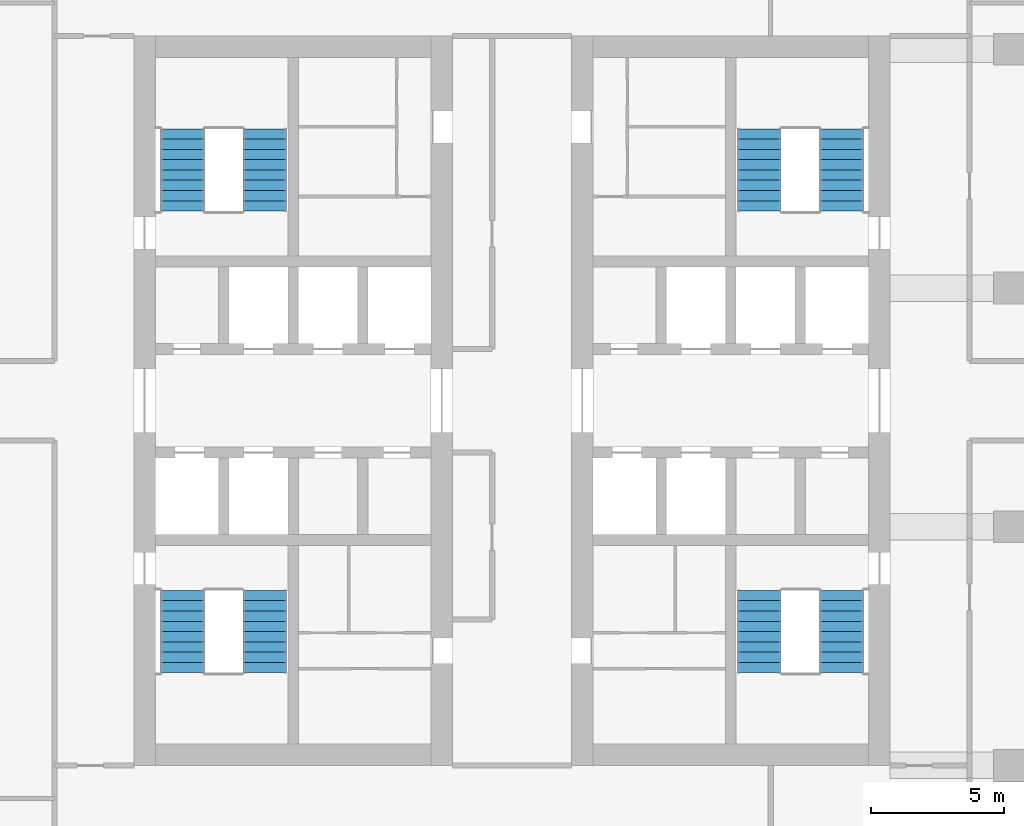
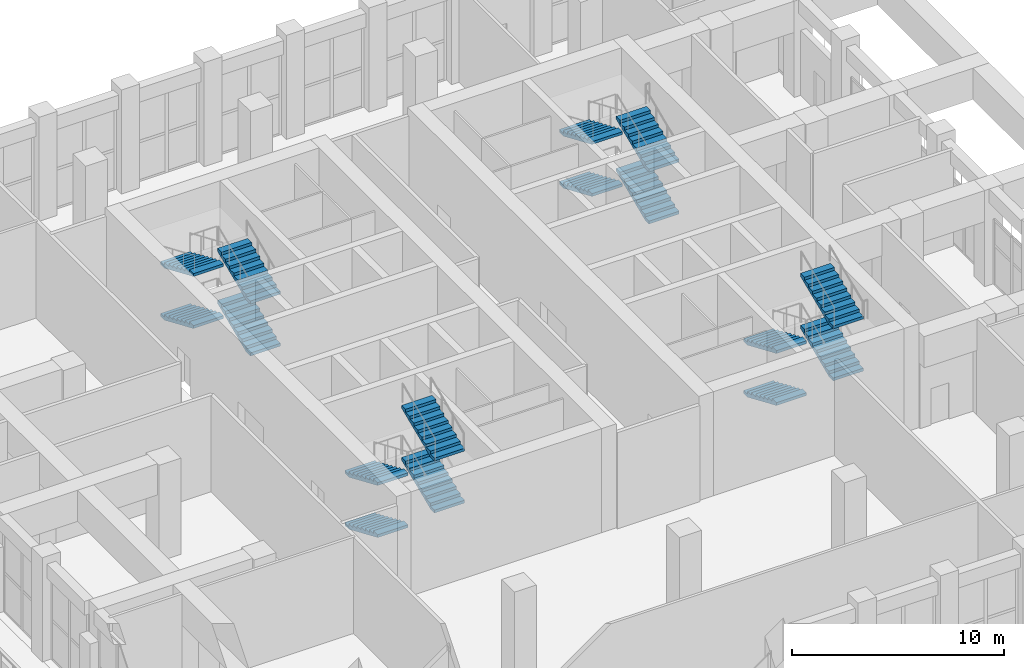
# One storey, part 17 of 25: 16 stair flights, 4 elements without a shape of their own.
"""IFC4 building model written with IfcOpenShell, lengths in metres."""

from ifc_helpers import new_model, si_unit, direction, frame, origin, place, context, subcontext, project, spatial, polyline, outline, extrude, material, type_object, element, aggregate, save


model = new_model("IFC4")

# Units and contexts
model_context = context("Model", 3, precision=1e-05, world=origin(), true_north=direction((0.0, 1.0)))
body_context = subcontext(model_context, "Body", "Model", "MODEL_VIEW")
ifc_project = project(units=[si_unit("LENGTHUNIT", "METRE"), si_unit("AREAUNIT", "SQUARE_METRE"), si_unit("VOLUMEUNIT", "CUBIC_METRE"), si_unit("PLANEANGLEUNIT", "RADIAN"), si_unit("MASSUNIT", "GRAM", prefix="KILO")], contexts=[model_context])

# Site, building, storey
site_placement = place(None, origin())
site = spatial("IfcSite", under=ifc_project, at=site_placement, CompositionType="ELEMENT")
building_placement = place(site_placement, origin())
building = spatial("IfcBuilding", under=site, at=building_placement, Name="Corbel Stack Research Tower", CompositionType="ELEMENT")
storey_placement = place(building_placement, frame((0.0, 0.0, 185.5)))
storey = spatial("IfcBuildingStorey", under=building, at=storey_placement, Name="L42", CompositionType="ELEMENT", Elevation=185.5)

# Stair, stair flights
ifc_material_1 = material(Name="Concrete C40/50", Category="concrete")
stair_type = type_object("IfcStairType", Name="Exit stair 36 risers, 388 going", PredefinedType="HALF_TURN_STAIR", material=ifc_material_1)
stair_1_placement = place(storey_placement, origin())
stair_1 = element("IfcStair", 1, at=stair_1_placement, inside=storey, type_object=stair_type, Name="L42 Exit stair ST-W1", PredefinedType="HALF_TURN_STAIR")
ifc_material_2 = material(Name="Concrete C40/50", Category="concrete")
stair_flight_type = type_object("IfcStairFlightType", Name="Stair flight 9 risers, 388 going", PredefinedType="STRAIGHT", material=ifc_material_2)
stair_flight_1_placement = place(storey_placement, frame((-8.675048828125, -2.39990234375, 0.0), z_axis=(0.0, 0.0, 1.0), x_axis=(0.0, -1.0, 0.0)))
stair_flight_1 = element("IfcStairFlight", 2, at=stair_flight_1_placement, type_object=stair_flight_type, Name="ST-W1 flight 1", NumberOfRisers=9, NumberOfTreads=8, PredefinedType="STRAIGHT", RiserHeight=0.166666667, TreadLength=0.388, context=body_context, shape_type="SweptSolid", body=[
    extrude(outline(polyline([(0.0, 0.0), (0.0, 0.166748046875), (0.387939453125, 0.166748046875), (0.387939453125, 0.333251953125), (0.77587890625, 0.333251953125), (0.77587890625, 0.5), (1.1640625, 0.5), (1.1640625, 0.666748046875), (1.552001953125, 0.666748046875), (1.552001953125, 0.833251953125), (1.93994140625, 0.833251953125), (1.93994140625, 1.0), (2.327880859375, 1.0), (2.327880859375, 1.166748046875), (2.716064453125, 1.166748046875), (2.716064453125, 1.333251953125), (3.10400390625, 1.333251953125), (3.10400390625, 1.5), (3.10400390625, 1.170166015625), (0.3798828125, 0.0), (0.0, 0.0)])), frame((0.0, 0.824951171875, 0.0), z_axis=(0.0, -1.0, 0.0), x_axis=(1.0, 0.0, 0.0)), (0.0, 0.0, 1.0), 1.64990234375),
])
stair_flight_2_placement = place(storey_placement, frame((-5.574951171875, -5.50390625, 1.5), z_axis=(0.0, 0.0, 1.0), x_axis=(0.0, 1.0, 0.0)))
stair_flight_2 = element("IfcStairFlight", 3, at=stair_flight_2_placement, type_object=stair_flight_type, Name="ST-W1 flight 2", NumberOfRisers=9, NumberOfTreads=8, PredefinedType="STRAIGHT", RiserHeight=0.166666667, TreadLength=0.388, context=body_context, shape_type="SweptSolid", body=[
    extrude(outline(polyline([(0.0, 0.0), (0.0, 0.166748046875), (0.387939453125, 0.166748046875), (0.387939453125, 0.333251953125), (0.77587890625, 0.333251953125), (0.77587890625, 0.5), (1.1640625, 0.5), (1.1640625, 0.666748046875), (1.552001953125, 0.666748046875), (1.552001953125, 0.833251953125), (1.93994140625, 0.833251953125), (1.93994140625, 1.0), (2.327880859375, 1.0), (2.327880859375, 1.166748046875), (2.716064453125, 1.166748046875), (2.716064453125, 1.333251953125), (3.10400390625, 1.333251953125), (3.10400390625, 1.5), (3.10400390625, 1.170166015625), (0.3798828125, 0.0), (0.0, 0.0)])), frame((0.0, 0.824951171875, 0.0), z_axis=(0.0, -1.0, 0.0), x_axis=(1.0, 0.0, 0.0)), (0.0, 0.0, 1.0), 1.64990234375),
])
stair_flight_3_placement = place(storey_placement, frame((-8.675048828125, -2.39990234375, 3.0), z_axis=(0.0, 0.0, 1.0), x_axis=(0.0, -1.0, 0.0)))
stair_flight_3 = element("IfcStairFlight", 4, at=stair_flight_3_placement, type_object=stair_flight_type, Name="ST-W1 flight 3", NumberOfRisers=9, NumberOfTreads=8, PredefinedType="STRAIGHT", RiserHeight=0.166666667, TreadLength=0.388, context=body_context, shape_type="SweptSolid", body=[
    extrude(outline(polyline([(0.0, 0.0), (0.0, 0.166748046875), (0.387939453125, 0.166748046875), (0.387939453125, 0.333251953125), (0.77587890625, 0.333251953125), (0.77587890625, 0.5), (1.1640625, 0.5), (1.1640625, 0.666748046875), (1.552001953125, 0.666748046875), (1.552001953125, 0.833251953125), (1.93994140625, 0.833251953125), (1.93994140625, 1.0), (2.327880859375, 1.0), (2.327880859375, 1.166748046875), (2.716064453125, 1.166748046875), (2.716064453125, 1.333251953125), (3.10400390625, 1.333251953125), (3.10400390625, 1.5), (3.10400390625, 1.170166015625), (0.3798828125, 0.0), (0.0, 0.0)])), frame((0.0, 0.824951171875, 0.0), z_axis=(0.0, -1.0, 0.0), x_axis=(1.0, 0.0, 0.0)), (0.0, 0.0, 1.0), 1.64990234375),
])
stair_flight_4_placement = place(storey_placement, frame((-5.574951171875, -5.50390625, 4.5), z_axis=(0.0, 0.0, 1.0), x_axis=(0.0, 1.0, 0.0)))
stair_flight_4 = element("IfcStairFlight", 5, at=stair_flight_4_placement, type_object=stair_flight_type, Name="ST-W1 flight 4", NumberOfRisers=9, NumberOfTreads=8, PredefinedType="STRAIGHT", RiserHeight=0.166666667, TreadLength=0.388, context=body_context, shape_type="SweptSolid", body=[
    extrude(outline(polyline([(0.0, 0.0), (0.0, 0.166748046875), (0.387939453125, 0.166748046875), (0.387939453125, 0.333251953125), (0.77587890625, 0.333251953125), (0.77587890625, 0.5), (1.1640625, 0.5), (1.1640625, 0.666748046875), (1.552001953125, 0.666748046875), (1.552001953125, 0.833251953125), (1.93994140625, 0.833251953125), (1.93994140625, 1.0), (2.327880859375, 1.0), (2.327880859375, 1.166748046875), (2.716064453125, 1.166748046875), (2.716064453125, 1.333251953125), (3.10400390625, 1.333251953125), (3.10400390625, 1.5), (3.10400390625, 1.170166015625), (0.3798828125, 0.0), (0.0, 0.0)])), frame((0.0, 0.824951171875, 0.0), z_axis=(0.0, -1.0, 0.0), x_axis=(1.0, 0.0, 0.0)), (0.0, 0.0, 1.0), 1.64990234375),
])
aggregate(stair_1, [stair_flight_1, stair_flight_2, stair_flight_3, stair_flight_4])

stair_2_placement = place(storey_placement, origin())
stair_2 = element("IfcStair", 6, at=stair_2_placement, inside=storey, type_object=stair_type, Name="L42 Exit stair ST-W2", PredefinedType="HALF_TURN_STAIR")
stair_flight_5_placement = place(storey_placement, frame((-5.574951171875, 11.89990234375, 0.0), z_axis=(0.0, 0.0, 1.0), x_axis=(0.0, 1.0, 0.0)))
stair_flight_5 = element("IfcStairFlight", 7, at=stair_flight_5_placement, type_object=stair_flight_type, Name="ST-W2 flight 1", NumberOfRisers=9, NumberOfTreads=8, PredefinedType="STRAIGHT", RiserHeight=0.166666667, TreadLength=0.388, context=body_context, shape_type="SweptSolid", body=[
    extrude(outline(polyline([(0.0, 0.0), (0.0, 0.166748046875), (0.387939453125, 0.166748046875), (0.387939453125, 0.333251953125), (0.77587890625, 0.333251953125), (0.77587890625, 0.5), (1.1640625, 0.5), (1.1640625, 0.666748046875), (1.552001953125, 0.666748046875), (1.552001953125, 0.833251953125), (1.93994140625, 0.833251953125), (1.93994140625, 1.0), (2.327880859375, 1.0), (2.327880859375, 1.166748046875), (2.716064453125, 1.166748046875), (2.716064453125, 1.333251953125), (3.10400390625, 1.333251953125), (3.10400390625, 1.5), (3.10400390625, 1.170166015625), (0.3798828125, 0.0), (0.0, 0.0)])), frame((0.0, 0.824951171875, 0.0), z_axis=(0.0, -1.0, 0.0), x_axis=(1.0, 0.0, 0.0)), (0.0, 0.0, 1.0), 1.64990234375),
])
stair_flight_6_placement = place(storey_placement, frame((-8.675048828125, 15.00390625, 1.5), z_axis=(0.0, 0.0, 1.0), x_axis=(0.0, -1.0, 0.0)))
stair_flight_6 = element("IfcStairFlight", 8, at=stair_flight_6_placement, type_object=stair_flight_type, Name="ST-W2 flight 2", NumberOfRisers=9, NumberOfTreads=8, PredefinedType="STRAIGHT", RiserHeight=0.166666667, TreadLength=0.388, context=body_context, shape_type="SweptSolid", body=[
    extrude(outline(polyline([(0.0, 0.0), (0.0, 0.166748046875), (0.387939453125, 0.166748046875), (0.387939453125, 0.333251953125), (0.77587890625, 0.333251953125), (0.77587890625, 0.5), (1.1640625, 0.5), (1.1640625, 0.666748046875), (1.552001953125, 0.666748046875), (1.552001953125, 0.833251953125), (1.93994140625, 0.833251953125), (1.93994140625, 1.0), (2.327880859375, 1.0), (2.327880859375, 1.166748046875), (2.716064453125, 1.166748046875), (2.716064453125, 1.333251953125), (3.10400390625, 1.333251953125), (3.10400390625, 1.5), (3.10400390625, 1.170166015625), (0.3798828125, 0.0), (0.0, 0.0)])), frame((0.0, 0.824951171875, 0.0), z_axis=(0.0, -1.0, 0.0), x_axis=(1.0, 0.0, 0.0)), (0.0, 0.0, 1.0), 1.64990234375),
])
stair_flight_7_placement = place(storey_placement, frame((-5.574951171875, 11.89990234375, 3.0), z_axis=(0.0, 0.0, 1.0), x_axis=(0.0, 1.0, 0.0)))
stair_flight_7 = element("IfcStairFlight", 9, at=stair_flight_7_placement, type_object=stair_flight_type, Name="ST-W2 flight 3", NumberOfRisers=9, NumberOfTreads=8, PredefinedType="STRAIGHT", RiserHeight=0.166666667, TreadLength=0.388, context=body_context, shape_type="SweptSolid", body=[
    extrude(outline(polyline([(0.0, 0.0), (0.0, 0.166748046875), (0.387939453125, 0.166748046875), (0.387939453125, 0.333251953125), (0.77587890625, 0.333251953125), (0.77587890625, 0.5), (1.1640625, 0.5), (1.1640625, 0.666748046875), (1.552001953125, 0.666748046875), (1.552001953125, 0.833251953125), (1.93994140625, 0.833251953125), (1.93994140625, 1.0), (2.327880859375, 1.0), (2.327880859375, 1.166748046875), (2.716064453125, 1.166748046875), (2.716064453125, 1.333251953125), (3.10400390625, 1.333251953125), (3.10400390625, 1.5), (3.10400390625, 1.170166015625), (0.3798828125, 0.0), (0.0, 0.0)])), frame((0.0, 0.824951171875, 0.0), z_axis=(0.0, -1.0, 0.0), x_axis=(1.0, 0.0, 0.0)), (0.0, 0.0, 1.0), 1.64990234375),
])
stair_flight_8_placement = place(storey_placement, frame((-8.675048828125, 15.00390625, 4.5), z_axis=(0.0, 0.0, 1.0), x_axis=(0.0, -1.0, 0.0)))
stair_flight_8 = element("IfcStairFlight", 10, at=stair_flight_8_placement, type_object=stair_flight_type, Name="ST-W2 flight 4", NumberOfRisers=9, NumberOfTreads=8, PredefinedType="STRAIGHT", RiserHeight=0.166666667, TreadLength=0.388, context=body_context, shape_type="SweptSolid", body=[
    extrude(outline(polyline([(0.0, 0.0), (0.0, 0.166748046875), (0.387939453125, 0.166748046875), (0.387939453125, 0.333251953125), (0.77587890625, 0.333251953125), (0.77587890625, 0.5), (1.1640625, 0.5), (1.1640625, 0.666748046875), (1.552001953125, 0.666748046875), (1.552001953125, 0.833251953125), (1.93994140625, 0.833251953125), (1.93994140625, 1.0), (2.327880859375, 1.0), (2.327880859375, 1.166748046875), (2.716064453125, 1.166748046875), (2.716064453125, 1.333251953125), (3.10400390625, 1.333251953125), (3.10400390625, 1.5), (3.10400390625, 1.170166015625), (0.3798828125, 0.0), (0.0, 0.0)])), frame((0.0, 0.824951171875, 0.0), z_axis=(0.0, -1.0, 0.0), x_axis=(1.0, 0.0, 0.0)), (0.0, 0.0, 1.0), 1.64990234375),
])
aggregate(stair_2, [stair_flight_5, stair_flight_6, stair_flight_7, stair_flight_8])

stair_3_placement = place(storey_placement, origin())
stair_3 = element("IfcStair", 11, at=stair_3_placement, inside=storey, type_object=stair_type, Name="L42 Exit stair ST-E1", PredefinedType="HALF_TURN_STAIR")
stair_flight_9_placement = place(storey_placement, frame((13.074951171875, -2.39990234375, 0.0), z_axis=(0.0, 0.0, 1.0), x_axis=(0.0, -1.0, 0.0)))
stair_flight_9 = element("IfcStairFlight", 12, at=stair_flight_9_placement, type_object=stair_flight_type, Name="ST-E1 flight 1", NumberOfRisers=9, NumberOfTreads=8, PredefinedType="STRAIGHT", RiserHeight=0.166666667, TreadLength=0.388, context=body_context, shape_type="SweptSolid", body=[
    extrude(outline(polyline([(0.0, 0.0), (0.0, 0.166748046875), (0.387939453125, 0.166748046875), (0.387939453125, 0.333251953125), (0.77587890625, 0.333251953125), (0.77587890625, 0.5), (1.1640625, 0.5), (1.1640625, 0.666748046875), (1.552001953125, 0.666748046875), (1.552001953125, 0.833251953125), (1.93994140625, 0.833251953125), (1.93994140625, 1.0), (2.327880859375, 1.0), (2.327880859375, 1.166748046875), (2.716064453125, 1.166748046875), (2.716064453125, 1.333251953125), (3.10400390625, 1.333251953125), (3.10400390625, 1.5), (3.10400390625, 1.170166015625), (0.3798828125, 0.0), (0.0, 0.0)])), frame((0.0, 0.824951171875, 0.0), z_axis=(0.0, -1.0, 0.0), x_axis=(1.0, 0.0, 0.0)), (0.0, 0.0, 1.0), 1.64990234375),
])
stair_flight_10_placement = place(storey_placement, frame((16.175048828125, -5.50390625, 1.5), z_axis=(0.0, 0.0, 1.0), x_axis=(0.0, 1.0, 0.0)))
stair_flight_10 = element("IfcStairFlight", 13, at=stair_flight_10_placement, type_object=stair_flight_type, Name="ST-E1 flight 2", NumberOfRisers=9, NumberOfTreads=8, PredefinedType="STRAIGHT", RiserHeight=0.166666667, TreadLength=0.388, context=body_context, shape_type="SweptSolid", body=[
    extrude(outline(polyline([(0.0, 0.0), (0.0, 0.166748046875), (0.387939453125, 0.166748046875), (0.387939453125, 0.333251953125), (0.77587890625, 0.333251953125), (0.77587890625, 0.5), (1.1640625, 0.5), (1.1640625, 0.666748046875), (1.552001953125, 0.666748046875), (1.552001953125, 0.833251953125), (1.93994140625, 0.833251953125), (1.93994140625, 1.0), (2.327880859375, 1.0), (2.327880859375, 1.166748046875), (2.716064453125, 1.166748046875), (2.716064453125, 1.333251953125), (3.10400390625, 1.333251953125), (3.10400390625, 1.5), (3.10400390625, 1.170166015625), (0.3798828125, 0.0), (0.0, 0.0)])), frame((0.0, 0.824951171875, 0.0), z_axis=(0.0, -1.0, 0.0), x_axis=(1.0, 0.0, 0.0)), (0.0, 0.0, 1.0), 1.64990234375),
])
stair_flight_11_placement = place(storey_placement, frame((13.074951171875, -2.39990234375, 3.0), z_axis=(0.0, 0.0, 1.0), x_axis=(0.0, -1.0, 0.0)))
stair_flight_11 = element("IfcStairFlight", 14, at=stair_flight_11_placement, type_object=stair_flight_type, Name="ST-E1 flight 3", NumberOfRisers=9, NumberOfTreads=8, PredefinedType="STRAIGHT", RiserHeight=0.166666667, TreadLength=0.388, context=body_context, shape_type="SweptSolid", body=[
    extrude(outline(polyline([(0.0, 0.0), (0.0, 0.166748046875), (0.387939453125, 0.166748046875), (0.387939453125, 0.333251953125), (0.77587890625, 0.333251953125), (0.77587890625, 0.5), (1.1640625, 0.5), (1.1640625, 0.666748046875), (1.552001953125, 0.666748046875), (1.552001953125, 0.833251953125), (1.93994140625, 0.833251953125), (1.93994140625, 1.0), (2.327880859375, 1.0), (2.327880859375, 1.166748046875), (2.716064453125, 1.166748046875), (2.716064453125, 1.333251953125), (3.10400390625, 1.333251953125), (3.10400390625, 1.5), (3.10400390625, 1.170166015625), (0.3798828125, 0.0), (0.0, 0.0)])), frame((0.0, 0.824951171875, 0.0), z_axis=(0.0, -1.0, 0.0), x_axis=(1.0, 0.0, 0.0)), (0.0, 0.0, 1.0), 1.64990234375),
])
stair_flight_12_placement = place(storey_placement, frame((16.175048828125, -5.50390625, 4.5), z_axis=(0.0, 0.0, 1.0), x_axis=(0.0, 1.0, 0.0)))
stair_flight_12 = element("IfcStairFlight", 15, at=stair_flight_12_placement, type_object=stair_flight_type, Name="ST-E1 flight 4", NumberOfRisers=9, NumberOfTreads=8, PredefinedType="STRAIGHT", RiserHeight=0.166666667, TreadLength=0.388, context=body_context, shape_type="SweptSolid", body=[
    extrude(outline(polyline([(0.0, 0.0), (0.0, 0.166748046875), (0.387939453125, 0.166748046875), (0.387939453125, 0.333251953125), (0.77587890625, 0.333251953125), (0.77587890625, 0.5), (1.1640625, 0.5), (1.1640625, 0.666748046875), (1.552001953125, 0.666748046875), (1.552001953125, 0.833251953125), (1.93994140625, 0.833251953125), (1.93994140625, 1.0), (2.327880859375, 1.0), (2.327880859375, 1.166748046875), (2.716064453125, 1.166748046875), (2.716064453125, 1.333251953125), (3.10400390625, 1.333251953125), (3.10400390625, 1.5), (3.10400390625, 1.170166015625), (0.3798828125, 0.0), (0.0, 0.0)])), frame((0.0, 0.824951171875, 0.0), z_axis=(0.0, -1.0, 0.0), x_axis=(1.0, 0.0, 0.0)), (0.0, 0.0, 1.0), 1.64990234375),
])
aggregate(stair_3, [stair_flight_9, stair_flight_10, stair_flight_11, stair_flight_12])

stair_4_placement = place(storey_placement, origin())
stair_4 = element("IfcStair", 16, at=stair_4_placement, inside=storey, type_object=stair_type, Name="L42 Exit stair ST-E2", PredefinedType="HALF_TURN_STAIR")
stair_flight_13_placement = place(storey_placement, frame((16.175048828125, 11.89990234375, 0.0), z_axis=(0.0, 0.0, 1.0), x_axis=(0.0, 1.0, 0.0)))
stair_flight_13 = element("IfcStairFlight", 17, at=stair_flight_13_placement, type_object=stair_flight_type, Name="ST-E2 flight 1", NumberOfRisers=9, NumberOfTreads=8, PredefinedType="STRAIGHT", RiserHeight=0.166666667, TreadLength=0.388, context=body_context, shape_type="SweptSolid", body=[
    extrude(outline(polyline([(0.0, 0.0), (0.0, 0.166748046875), (0.387939453125, 0.166748046875), (0.387939453125, 0.333251953125), (0.77587890625, 0.333251953125), (0.77587890625, 0.5), (1.1640625, 0.5), (1.1640625, 0.666748046875), (1.552001953125, 0.666748046875), (1.552001953125, 0.833251953125), (1.93994140625, 0.833251953125), (1.93994140625, 1.0), (2.327880859375, 1.0), (2.327880859375, 1.166748046875), (2.716064453125, 1.166748046875), (2.716064453125, 1.333251953125), (3.10400390625, 1.333251953125), (3.10400390625, 1.5), (3.10400390625, 1.170166015625), (0.3798828125, 0.0), (0.0, 0.0)])), frame((0.0, 0.824951171875, 0.0), z_axis=(0.0, -1.0, 0.0), x_axis=(1.0, 0.0, 0.0)), (0.0, 0.0, 1.0), 1.64990234375),
])
stair_flight_14_placement = place(storey_placement, frame((13.074951171875, 15.00390625, 1.5), z_axis=(0.0, 0.0, 1.0), x_axis=(0.0, -1.0, 0.0)))
stair_flight_14 = element("IfcStairFlight", 18, at=stair_flight_14_placement, type_object=stair_flight_type, Name="ST-E2 flight 2", NumberOfRisers=9, NumberOfTreads=8, PredefinedType="STRAIGHT", RiserHeight=0.166666667, TreadLength=0.388, context=body_context, shape_type="SweptSolid", body=[
    extrude(outline(polyline([(0.0, 0.0), (0.0, 0.166748046875), (0.387939453125, 0.166748046875), (0.387939453125, 0.333251953125), (0.77587890625, 0.333251953125), (0.77587890625, 0.5), (1.1640625, 0.5), (1.1640625, 0.666748046875), (1.552001953125, 0.666748046875), (1.552001953125, 0.833251953125), (1.93994140625, 0.833251953125), (1.93994140625, 1.0), (2.327880859375, 1.0), (2.327880859375, 1.166748046875), (2.716064453125, 1.166748046875), (2.716064453125, 1.333251953125), (3.10400390625, 1.333251953125), (3.10400390625, 1.5), (3.10400390625, 1.170166015625), (0.3798828125, 0.0), (0.0, 0.0)])), frame((0.0, 0.824951171875, 0.0), z_axis=(0.0, -1.0, 0.0), x_axis=(1.0, 0.0, 0.0)), (0.0, 0.0, 1.0), 1.64990234375),
])
stair_flight_15_placement = place(storey_placement, frame((16.175048828125, 11.89990234375, 3.0), z_axis=(0.0, 0.0, 1.0), x_axis=(0.0, 1.0, 0.0)))
stair_flight_15 = element("IfcStairFlight", 19, at=stair_flight_15_placement, type_object=stair_flight_type, Name="ST-E2 flight 3", NumberOfRisers=9, NumberOfTreads=8, PredefinedType="STRAIGHT", RiserHeight=0.166666667, TreadLength=0.388, context=body_context, shape_type="SweptSolid", body=[
    extrude(outline(polyline([(0.0, 0.0), (0.0, 0.166748046875), (0.387939453125, 0.166748046875), (0.387939453125, 0.333251953125), (0.77587890625, 0.333251953125), (0.77587890625, 0.5), (1.1640625, 0.5), (1.1640625, 0.666748046875), (1.552001953125, 0.666748046875), (1.552001953125, 0.833251953125), (1.93994140625, 0.833251953125), (1.93994140625, 1.0), (2.327880859375, 1.0), (2.327880859375, 1.166748046875), (2.716064453125, 1.166748046875), (2.716064453125, 1.333251953125), (3.10400390625, 1.333251953125), (3.10400390625, 1.5), (3.10400390625, 1.170166015625), (0.3798828125, 0.0), (0.0, 0.0)])), frame((0.0, 0.824951171875, 0.0), z_axis=(0.0, -1.0, 0.0), x_axis=(1.0, 0.0, 0.0)), (0.0, 0.0, 1.0), 1.64990234375),
])
stair_flight_16_placement = place(storey_placement, frame((13.074951171875, 15.00390625, 4.5), z_axis=(0.0, 0.0, 1.0), x_axis=(0.0, -1.0, 0.0)))
stair_flight_16 = element("IfcStairFlight", 20, at=stair_flight_16_placement, type_object=stair_flight_type, Name="ST-E2 flight 4", NumberOfRisers=9, NumberOfTreads=8, PredefinedType="STRAIGHT", RiserHeight=0.166666667, TreadLength=0.388, context=body_context, shape_type="SweptSolid", body=[
    extrude(outline(polyline([(0.0, 0.0), (0.0, 0.166748046875), (0.387939453125, 0.166748046875), (0.387939453125, 0.333251953125), (0.77587890625, 0.333251953125), (0.77587890625, 0.5), (1.1640625, 0.5), (1.1640625, 0.666748046875), (1.552001953125, 0.666748046875), (1.552001953125, 0.833251953125), (1.93994140625, 0.833251953125), (1.93994140625, 1.0), (2.327880859375, 1.0), (2.327880859375, 1.166748046875), (2.716064453125, 1.166748046875), (2.716064453125, 1.333251953125), (3.10400390625, 1.333251953125), (3.10400390625, 1.5), (3.10400390625, 1.170166015625), (0.3798828125, 0.0), (0.0, 0.0)])), frame((0.0, 0.824951171875, 0.0), z_axis=(0.0, -1.0, 0.0), x_axis=(1.0, 0.0, 0.0)), (0.0, 0.0, 1.0), 1.64990234375),
])
aggregate(stair_4, [stair_flight_13, stair_flight_14, stair_flight_15, stair_flight_16])

save(model, "model.ifc")
